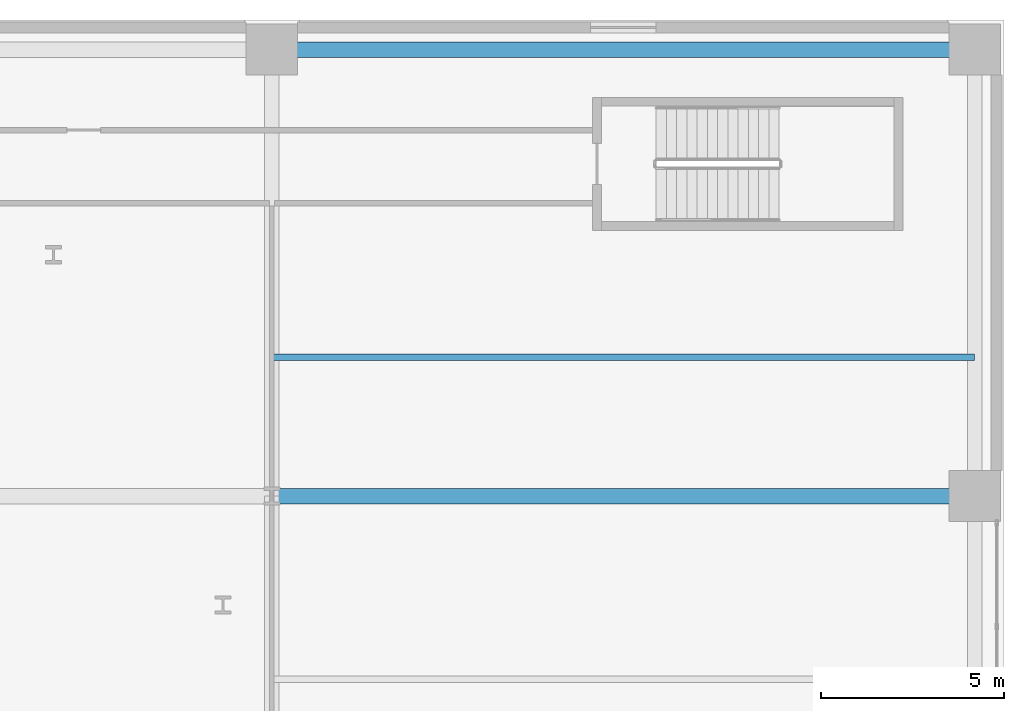
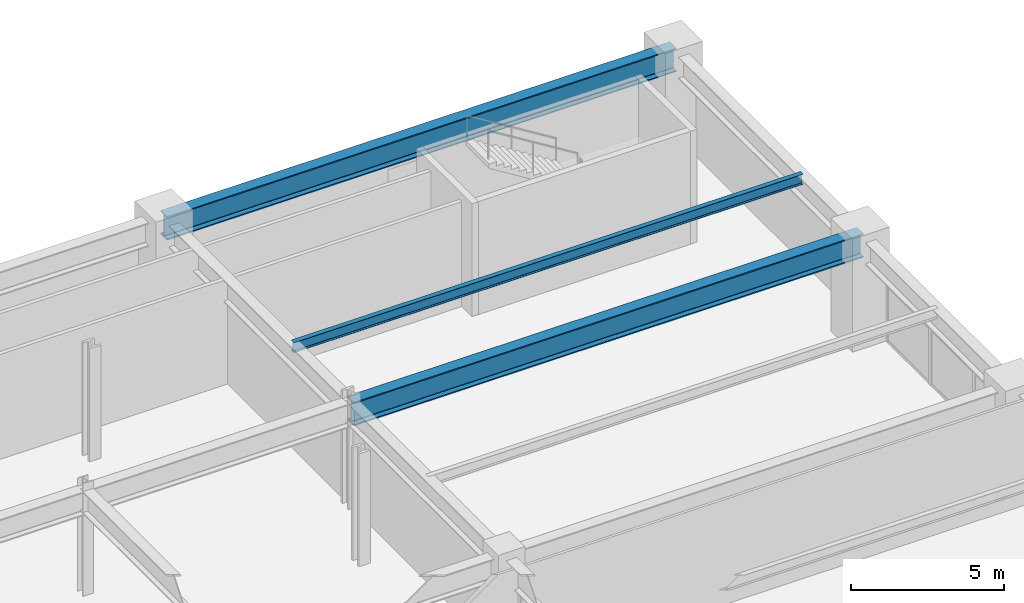
# One storey, part 17 of 28: 3 beams.
"""IFC4 building model written with IfcOpenShell, lengths in metres."""

import ifcopenshell
import ifcopenshell.guid

model = None  # the IFC model being written
_history = None  # IfcOwnerHistory: only IFC2X3 demands one
_inside = {}  # id of a spatial element -> (the spatial element, [elements in it])
_under = {}  # id of a project, library or spatial element -> (it, [spatial elements below it])
_declared = {}  # id of a project -> (the project, [libraries it declares])
_typed = {}  # id of a type object -> (the type object, [elements of that type])
_made_of = {}  # id of a material, layer set ... -> (it, [elements and type objects made of it])


def new_model(schema):
    """Start an empty IFC model of exactly this schema.

    Asked for "IFC4X3", IfcOpenShell would pick the latest addendum, in which some entities
    have other attributes; the version numbers below select the first issue.
    IFC2X3 requires an IfcOwnerHistory on every rooted entity: one is made here for all.
    """
    global model, _history
    if schema == "IFC4X3":
        model = ifcopenshell.file(schema_version=(4, 3, 0, 0))
    else:
        model = ifcopenshell.file(schema=schema)
    _inside.clear()
    _under.clear()
    _declared.clear()
    _typed.clear()
    _made_of.clear()
    _history = None
    if model.schema == "IFC2X3":
        org = make("IfcOrganization", Name="unknown")
        user = make(
            "IfcPersonAndOrganization",
            ThePerson=make("IfcPerson", FamilyName="unknown"),
            TheOrganization=org,
        )
        app = make(
            "IfcApplication",
            ApplicationDeveloper=org,
            Version="unknown",
            ApplicationFullName="unknown",
            ApplicationIdentifier="unknown",
        )
        _history = make(
            "IfcOwnerHistory",
            OwningUser=user,
            OwningApplication=app,
            ChangeAction="ADDED",
            CreationDate=0,
        )
    return model


def make(cls, **values):
    """One entity of the class cls with the attributes given. An attribute that is None is left unset."""
    return model.create_entity(
        cls, **{name: value for name, value in values.items() if value is not None}
    )


def rooted(cls, **values):
    """An entity with a GlobalId (a new one), such as an element, a storey or a relation."""
    return make(cls, GlobalId=ifcopenshell.guid.new(), OwnerHistory=_history, **values)


def si_unit(unit_type, name, prefix=None):
    """IfcSIUnit, for example si_unit("LENGTHUNIT", "METRE", prefix="MILLI")."""
    return make("IfcSIUnit", UnitType=unit_type, Prefix=prefix, Name=name)


def assignment(units):
    """IfcUnitAssignment: the units of a project."""
    return None if units is None else make("IfcUnitAssignment", Units=units)


def point(xyz):
    """IfcCartesianPoint."""
    return None if xyz is None else make("IfcCartesianPoint", Coordinates=xyz)


def direction(xyz):
    """IfcDirection."""
    return None if xyz is None else make("IfcDirection", DirectionRatios=xyz)


def frame(location, z_axis=None, x_axis=None):
    """IfcAxis2Placement3D, a coordinate frame: its origin and axes. An axis left out is left unset."""
    return make(
        "IfcAxis2Placement3D",
        Location=point(location),
        Axis=direction(z_axis),
        RefDirection=direction(x_axis),
    )


def frame_2d(location, x_axis=None):
    """IfcAxis2Placement2D, a coordinate frame in the plane: its origin and x axis."""
    return make(
        "IfcAxis2Placement2D", Location=point(location), RefDirection=direction(x_axis)
    )


def origin():
    """The frame at (0, 0, 0) with its axes left unset."""
    return frame((0.0, 0.0, 0.0))


def origin_2d():
    """The frame at (0, 0) in the plane with its x axis left unset."""
    return frame_2d((0.0, 0.0))


def place(relative_to, where):
    """IfcLocalPlacement: puts the frame where relative to a parent placement (None: the world)."""
    return make(
        "IfcLocalPlacement", PlacementRelTo=relative_to, RelativePlacement=where
    )


def context(
    kind, dimensions, precision=None, world=None, true_north=None, identifier=None
):
    """IfcGeometricRepresentationContext, for example the 3D "Model" context."""
    return make(
        "IfcGeometricRepresentationContext",
        ContextIdentifier=identifier,
        ContextType=kind,
        CoordinateSpaceDimension=dimensions,
        Precision=precision,
        WorldCoordinateSystem=world,
        TrueNorth=true_north,
    )


def subcontext(parent, identifier, kind, view, scale=None):
    """IfcGeometricRepresentationSubContext, for example "Body" below "Model"."""
    return make(
        "IfcGeometricRepresentationSubContext",
        ContextIdentifier=identifier,
        ContextType=kind,
        ParentContext=parent,
        TargetScale=scale,
        TargetView=view,
    )


def project(units=None, contexts=None):
    """IfcProject with its units and contexts."""
    return rooted(
        "IfcProject",
        Name="project",
        RepresentationContexts=contexts,
        UnitsInContext=assignment(units),
    )


def spatial(cls, under=None, at=None, **own):
    """A site, building, storey or space (cls), placed at a placement, below another one or the project."""
    s = rooted(cls, ObjectPlacement=at, **own)
    if under is not None:
        _under.setdefault(under.id(), (under, []))[1].append(s)
    return s


def profile(cls, at=None, kind="AREA", **sizes):
    """A parametric profile (cls). Its sizes go by their IFC names, for example OverallWidth=200.0."""
    return make(cls, ProfileType=kind, Position=at, **sizes)


def i_section(**sizes):
    """IfcIShapeProfileDef."""
    return profile("IfcIShapeProfileDef", **sizes)


def extrude(swept, where, along, depth):
    """IfcExtrudedAreaSolid: the profile swept, set in the frame where, extruded along a direction by depth."""
    return make(
        "IfcExtrudedAreaSolid",
        SweptArea=swept,
        Position=where,
        ExtrudedDirection=direction(along),
        Depth=depth,
    )


def shape(context_of_items, identifier, shape_type, items):
    """IfcShapeRepresentation: the items that make up one representation, for example the "Body"."""
    return make(
        "IfcShapeRepresentation",
        ContextOfItems=context_of_items,
        RepresentationIdentifier=identifier,
        RepresentationType=shape_type,
        Items=items,
    )


def material(Name=None, Category=None):
    """IfcMaterial."""
    return make("IfcMaterial", Name=Name, Category=Category)


def material_profile(
    of_material, cross_section, Name=None, Category=None, Priority=None
):
    """IfcMaterialProfile: a cross section and its material."""
    return make(
        "IfcMaterialProfile",
        Name=Name,
        Material=of_material,
        Profile=cross_section,
        Priority=Priority,
        Category=Category,
    )


def profile_set(profiles, Name=None, composite=None):
    """IfcMaterialProfileSet."""
    return make(
        "IfcMaterialProfileSet",
        Name=Name,
        MaterialProfiles=profiles,
        CompositeProfile=composite,
    )


def made_of(thing, what):
    """Note that an element or type object is made of a material, layer set ...; save() writes the relation."""
    if what is not None:
        _made_of.setdefault(what.id(), (what, []))[1].append(thing)
    return thing


def type_object(cls, material=None, **own):
    """A type object (cls), such as IfcWallType, which elements share."""
    return made_of(rooted(cls, **own), material)


def element(
    cls,
    number,
    at=None,
    inside=None,
    cuts=None,
    type_object=None,
    material=None,
    context=None,
    identifier="Body",
    shape_type=None,
    held_by="IfcProductDefinitionShape",
    body=None,
    shapes=None,
    **own,
):
    """One element of the class cls, such as IfcWall. Its Tag is "e" and its number.

    at: its placement. inside: the storey or other place that contains it. cuts: it is an
    opening in that element (IfcRelVoidsElement). A single representation is given by context,
    identifier, shape_type and body (its items); several are given by shapes. held_by: the class
    of the entity that holds the representations. save() writes the other relations.
    """
    e = rooted(cls, Tag="e%d" % number, ObjectPlacement=at, **own)
    if body is not None:
        shapes = [shape(context, identifier, shape_type, body)]
    if shapes is not None:
        e.Representation = make(held_by, Representations=shapes)
    if inside is not None:
        _inside.setdefault(inside.id(), (inside, []))[1].append(e)
    if cuts is not None:
        rooted(
            "IfcRelVoidsElement", RelatingBuildingElement=cuts, RelatedOpeningElement=e
        )
    if type_object is not None:
        _typed.setdefault(type_object.id(), (type_object, []))[1].append(e)
    return made_of(e, material)


def aggregate(whole, parts):
    """IfcRelAggregates: a whole, such as a stair, and the parts it consists of."""
    return rooted("IfcRelAggregates", RelatingObject=whole, RelatedObjects=parts)


def save(model, path):
    """Write the relations noted so far, then the file.

    IfcRelAggregates (storeys below a building ...), IfcRelContainedInSpatialStructure (elements
    in a storey), IfcRelDefinesByType, IfcRelAssociatesMaterial and IfcRelDeclares: one each for
    every whole, place, type object, material and project.
    """
    for whole, parts in _under.values():
        aggregate(whole, parts)
    for where, things in _inside.values():
        rooted(
            "IfcRelContainedInSpatialStructure",
            RelatedElements=things,
            RelatingStructure=where,
        )
    for kind, things in _typed.values():
        rooted("IfcRelDefinesByType", RelatedObjects=things, RelatingType=kind)
    for what, things in _made_of.values():
        rooted("IfcRelAssociatesMaterial", RelatedObjects=things, RelatingMaterial=what)
    for by, libraries in _declared.values():
        rooted("IfcRelDeclares", RelatingContext=by, RelatedDefinitions=libraries)
    model.write(path)


model = new_model("IFC4")

# Units and contexts
model_context = context("Model", 3, precision=1e-05, world=origin(), true_north=direction((0.0, 1.0)))
body_context = subcontext(model_context, "Body", "Model", "MODEL_VIEW")
ifc_project = project(units=[si_unit("LENGTHUNIT", "METRE"), si_unit("AREAUNIT", "SQUARE_METRE"), si_unit("VOLUMEUNIT", "CUBIC_METRE"), si_unit("PLANEANGLEUNIT", "RADIAN"), si_unit("MASSUNIT", "GRAM", prefix="KILO")], contexts=[model_context])

# Site, building, storey
site_placement = place(None, origin())
site = spatial("IfcSite", under=ifc_project, at=site_placement, CompositionType="ELEMENT")
building_placement = place(site_placement, origin())
building = spatial("IfcBuilding", under=site, at=building_placement, Name="Soratama Intermodal Tower", CompositionType="ELEMENT")
storey_placement = place(building_placement, frame((0.0, 0.0, 20.699951171875)))
storey = spatial("IfcBuildingStorey", under=building, at=storey_placement, Name="L04", CompositionType="ELEMENT", Elevation=20.699951171875)

# Beams
ifc_material_1 = material(Name="Structural steel ASTM A992 Grade 50", Category="steel")
ifc_material_profile_1 = material_profile(ifc_material_1, i_section(OverallWidth=0.177978515625, OverallDepth=0.406982421875, WebThickness=0.0078125, FlangeThickness=0.0126953125, FilletRadius=0.010009765625, at=origin_2d()), Name="W16X40")
ifc_profile_set_1 = profile_set([ifc_material_profile_1], Name="Structural steel ASTM A992 Grade 50")
beam_type_1 = type_object("IfcBeamType", Name="BM-JST-W16X40", PredefinedType="JOIST", material=ifc_profile_set_1)
beam_1_placement = place(storey_placement, frame((64.0, 38.800048828125, 3.9765625), z_axis=(1.0, 0.0, 0.0), x_axis=(0.0, 1.0, 0.0)))
element("IfcBeam", 1, at=beam_1_placement, inside=storey, type_object=beam_type_1, Name="JST-L04-E4", PredefinedType="JOIST", context=body_context, shape_type="SweptSolid", body=[
    extrude(i_section(OverallWidth=0.177978515625, OverallDepth=0.406982421875, WebThickness=0.0078125, FlangeThickness=0.0126953125, FilletRadius=0.010009765625, at=origin_2d()), origin(), (0.0, 0.0, 1.0), 19.199951171875),
])
ifc_material_2 = material(Name="Structural steel ASTM A992 Grade 50", Category="steel")
ifc_material_profile_2 = material_profile(ifc_material_2, i_section(OverallWidth=0.423095703125, OverallDepth=0.93896484375, WebThickness=0.02392578125, FlangeThickness=0.042724609375, FilletRadius=0.02392578125, at=origin_2d()), Name="W36X302")
ifc_profile_set_2 = profile_set([ifc_material_profile_2], Name="Structural steel ASTM A992 Grade 50")
beam_type_2 = type_object("IfcBeamType", Name="BM-POD-EXT-W36", PredefinedType="BEAM", material=ifc_profile_set_2)
beam_2_placement = place(storey_placement, frame((64.0, 47.199951171875, 3.71044921875), z_axis=(1.0, 0.0, 0.0), x_axis=(0.0, 1.0, 0.0)))
element("IfcBeam", 2, at=beam_2_placement, inside=storey, type_object=beam_type_2, Name="L04 Station Girder X5-5", PredefinedType="BEAM", context=body_context, shape_type="SweptSolid", body=[
    extrude(i_section(OverallWidth=0.423095703125, OverallDepth=0.93896484375, WebThickness=0.02392578125, FlangeThickness=0.042724609375, FilletRadius=0.02392578125, at=origin_2d()), origin(), (0.0, 0.0, 1.0), 19.199951171875),
])
ifc_material_3 = material(Name="Structural steel ASTM A992 Grade 50", Category="steel")
ifc_material_profile_3 = material_profile(ifc_material_3, i_section(OverallWidth=0.423095703125, OverallDepth=0.93896484375, WebThickness=0.02392578125, FlangeThickness=0.042724609375, FilletRadius=0.02392578125, at=origin_2d()), Name="W36X302")
ifc_profile_set_3 = profile_set([ifc_material_profile_3], Name="Structural steel ASTM A992 Grade 50")
beam_type_3 = type_object("IfcBeamType", Name="BM-POD-W36X302", PredefinedType="BEAM", material=ifc_profile_set_3)
beam_3_placement = place(storey_placement, frame((64.0, 35.0, 3.71044921875), z_axis=(1.0, 0.0, 0.0), x_axis=(0.0, 1.0, 0.0)))
element("IfcBeam", 3, at=beam_3_placement, inside=storey, type_object=beam_type_3, Name="L04 Station Girder X4-5", PredefinedType="BEAM", context=body_context, shape_type="SweptSolid", body=[
    extrude(i_section(OverallWidth=0.423095703125, OverallDepth=0.93896484375, WebThickness=0.02392578125, FlangeThickness=0.042724609375, FilletRadius=0.02392578125, at=origin_2d()), origin(), (0.0, 0.0, 1.0), 19.199951171875),
])

save(model, "model.ifc")
